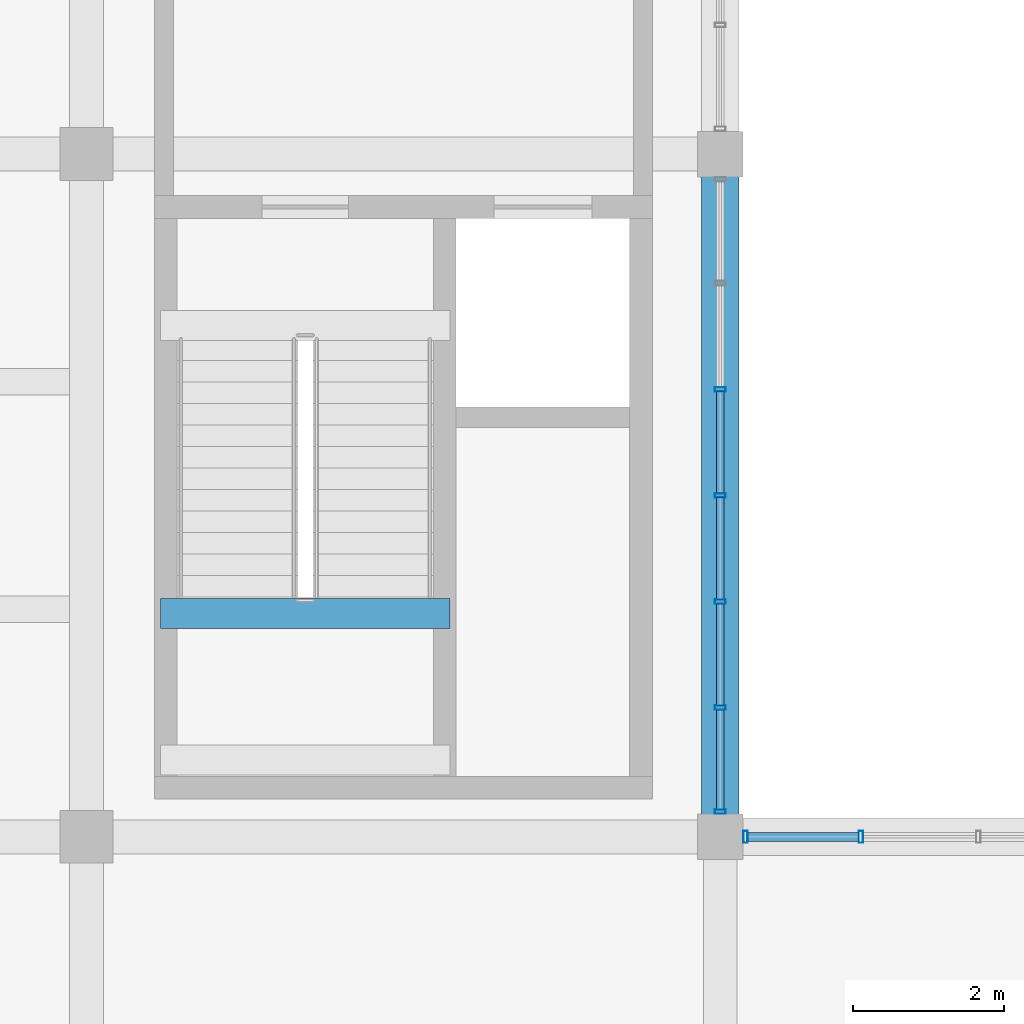
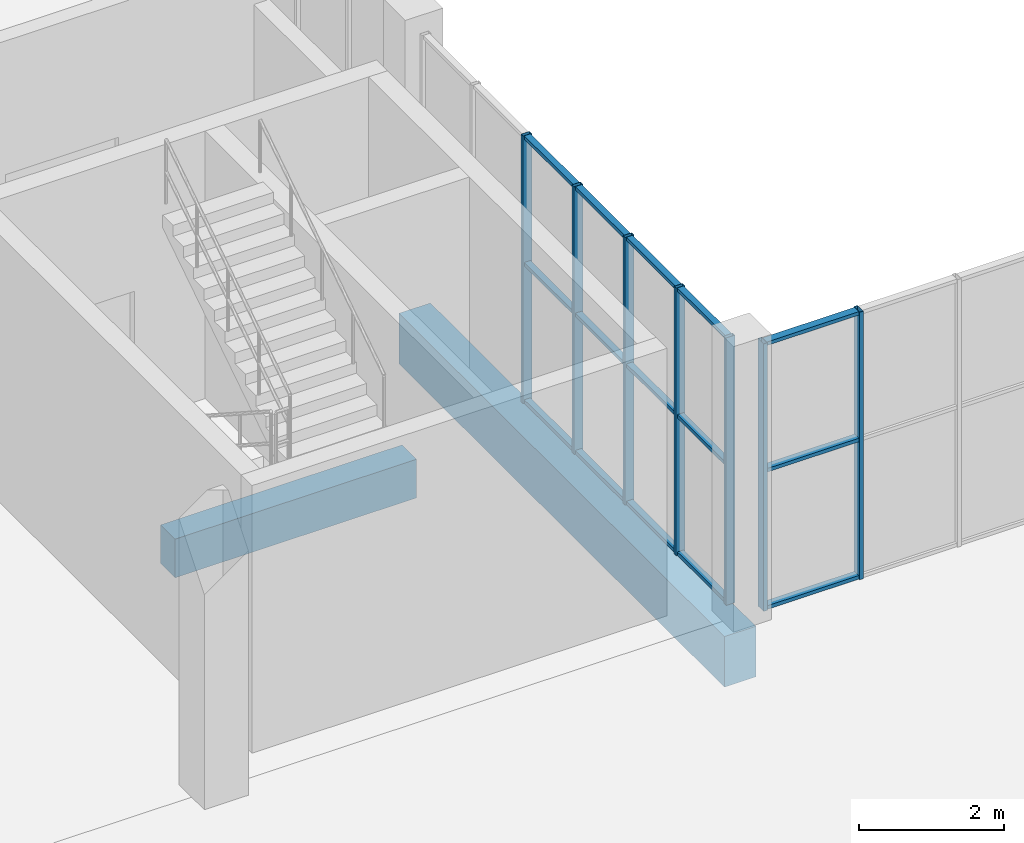
# One storey, part 32 of 80: 22 members, 2 beams, 2 elements without a shape of their own.
"""IFC4 building model written with IfcOpenShell, lengths in metres."""

from ifc_helpers import new_model, si_unit, direction, frame, origin, origin_2d, place, context, subcontext, project, spatial, rectangle, hollow_rectangle, extrude, material, material_profile, profile_set, type_object, element, aggregate, save


model = new_model("IFC4")

# Units and contexts
model_context = context("Model", 3, precision=1e-05, world=origin(), true_north=direction((0.0, 1.0)))
body_context = subcontext(model_context, "Body", "Model", "MODEL_VIEW")
ifc_project = project(units=[si_unit("LENGTHUNIT", "METRE"), si_unit("AREAUNIT", "SQUARE_METRE"), si_unit("VOLUMEUNIT", "CUBIC_METRE"), si_unit("PLANEANGLEUNIT", "RADIAN"), si_unit("MASSUNIT", "GRAM", prefix="KILO")], contexts=[model_context])

# Site, building, storey
site_placement = place(None, origin())
site = spatial("IfcSite", under=ifc_project, at=site_placement, CompositionType="ELEMENT")
building_placement = place(site_placement, origin())
building = spatial("IfcBuilding", under=site, at=building_placement, Name="Khurvash Pelagic Aquarium", CompositionType="ELEMENT")
storey_placement = place(building_placement, frame((0.0, 0.0, 10.800048828125)))
storey = spatial("IfcBuildingStorey", under=building, at=storey_placement, Name="L02", CompositionType="ELEMENT", Elevation=10.800048828125)

# Beam
ifc_material_1 = material(Name="Concrete C35/45", Category="concrete")
ifc_material_profile_1 = material_profile(ifc_material_1, rectangle(XDim=0.39990234375, YDim=0.64990234375, at=origin_2d()), Name="RC400X650")
ifc_profile_set_1 = profile_set([ifc_material_profile_1], Name="Concrete C35/45")
beam_type_1 = type_object("IfcBeamType", Name="BM-05", PredefinedType="BEAM", material=ifc_profile_set_1)
beam_1_placement = place(storey_placement, frame((110.179931640625, 87.010009765625, 1.875), z_axis=(1.0, 0.0, 0.0), x_axis=(0.0, 1.0, 0.0)))
element("IfcBeam", 1, at=beam_1_placement, inside=storey, type_object=beam_type_1, Name="L02 Stair ST-06 Mid-Landing Trimmer Beam BM-05", PredefinedType="BEAM", context=body_context, shape_type="SweptSolid", body=[
    extrude(rectangle(XDim=0.39990234375, YDim=0.64990234375, at=origin_2d()), origin(), (0.0, 0.0, 1.0), 3.840087890625),
])

# Curtain wall, members
ifc_material_2 = material(Name="Anodised aluminium and low-E laminated glass", Category="aluminium")
curtain_wall_type_1 = type_object("IfcCurtainWallType", Name="CW-06", PredefinedType="USERDEFINED", material=ifc_material_2)
curtain_wall_1_placement = place(storey_placement, origin())
curtain_wall_1 = element("IfcCurtainWall", 2, at=curtain_wall_1_placement, inside=storey, type_object=curtain_wall_type_1, Name="L02 Facade Unitised Curtain Wall CW-06 0161", ObjectType="UNITISED CURTAIN WALL", PredefinedType="USERDEFINED")
ifc_material_3 = material(Name="Extruded aluminium AW-6063-T6", Category="aluminium")
ifc_material_profile_2 = material_profile(ifc_material_3, hollow_rectangle(XDim=0.06005859375, YDim=0.159912109375, WallThickness=0.00390625, at=origin_2d()), Name="CWM60X160X4")
ifc_profile_set_2 = profile_set([ifc_material_profile_2], Name="Extruded aluminium AW-6063-T6")
member_type_1 = type_object("IfcMemberType", Name="CM-02", PredefinedType="MULLION", material=ifc_profile_set_2)
member_1_placement = place(storey_placement, frame((119.462890625, 84.050048828125, 0.0), z_axis=(0.0, 0.0, 1.0), x_axis=(-1.0, 0.0, 0.0)))
member_1 = element("IfcMember", 3, at=member_1_placement, type_object=member_type_1, Name="CW-06 mullion 5", PredefinedType="MULLION", context=body_context, shape_type="SweptSolid", body=[
    extrude(hollow_rectangle(XDim=0.06005859375, YDim=0.159912109375, WallThickness=0.00390625, at=origin_2d()), origin(), (0.0, 0.0, 1.0), 4.5),
])
member_2_placement = place(storey_placement, frame((117.93505859375, 84.050048828125, 0.0), z_axis=(0.0, 0.0, 1.0), x_axis=(-1.0, 0.0, 0.0)))
member_2 = element("IfcMember", 4, at=member_2_placement, type_object=member_type_1, Name="CW-06 mullion 6", PredefinedType="MULLION", context=body_context, shape_type="SweptSolid", body=[
    extrude(hollow_rectangle(XDim=0.06005859375, YDim=0.159912109375, WallThickness=0.00390625, at=origin_2d()), origin(), (0.0, 0.0, 1.0), 4.5),
])

curtain_wall_type_2 = type_object("IfcCurtainWallType", Name="CW-03", PredefinedType="USERDEFINED", material=ifc_material_2)
curtain_wall_2_placement = place(storey_placement, origin())
curtain_wall_2 = element("IfcCurtainWall", 5, at=curtain_wall_2_placement, inside=storey, type_object=curtain_wall_type_2, Name="L02 Facade Unitised Curtain Wall CW-03 0162", ObjectType="UNITISED CURTAIN WALL", PredefinedType="USERDEFINED")
ifc_material_profile_3 = material_profile(ifc_material_3, hollow_rectangle(XDim=0.06005859375, YDim=0.139892578125, WallThickness=0.00390625, at=origin_2d()), Name="CWM60X140X4")
ifc_profile_set_3 = profile_set([ifc_material_profile_3], Name="Extruded aluminium AW-6063-T6")
member_type_2 = type_object("IfcMemberType", Name="CM-03", PredefinedType="MULLION", material=ifc_profile_set_3)
member_3_placement = place(storey_placement, frame((117.60009765625, 84.385009765625, 0.0), z_axis=(0.0, 0.0, 1.0), x_axis=(0.0, 1.0, 0.0)))
member_3 = element("IfcMember", 6, at=member_3_placement, type_object=member_type_2, Name="CW-03 mullion 1", PredefinedType="MULLION", context=body_context, shape_type="SweptSolid", body=[
    extrude(hollow_rectangle(XDim=0.06005859375, YDim=0.139892578125, WallThickness=0.00390625, at=origin_2d()), origin(), (0.0, 0.0, 1.0), 4.5),
])
member_4_placement = place(storey_placement, frame((117.60009765625, 85.76171875, 0.0), z_axis=(0.0, 0.0, 1.0), x_axis=(0.0, 1.0, 0.0)))
member_4 = element("IfcMember", 7, at=member_4_placement, type_object=member_type_2, Name="CW-03 mullion 2", PredefinedType="MULLION", context=body_context, shape_type="SweptSolid", body=[
    extrude(hollow_rectangle(XDim=0.06005859375, YDim=0.139892578125, WallThickness=0.00390625, at=origin_2d()), origin(), (0.0, 0.0, 1.0), 4.5),
])
member_5_placement = place(storey_placement, frame((117.60009765625, 87.168212890625, 0.0), z_axis=(0.0, 0.0, 1.0), x_axis=(0.0, 1.0, 0.0)))
member_5 = element("IfcMember", 8, at=member_5_placement, type_object=member_type_2, Name="CW-03 mullion 3", PredefinedType="MULLION", context=body_context, shape_type="SweptSolid", body=[
    extrude(hollow_rectangle(XDim=0.06005859375, YDim=0.139892578125, WallThickness=0.00390625, at=origin_2d()), origin(), (0.0, 0.0, 1.0), 4.5),
])
member_6_placement = place(storey_placement, frame((117.60009765625, 88.574951171875, 0.0), z_axis=(0.0, 0.0, 1.0), x_axis=(0.0, 1.0, 0.0)))
member_6 = element("IfcMember", 9, at=member_6_placement, type_object=member_type_2, Name="CW-03 mullion 4", PredefinedType="MULLION", context=body_context, shape_type="SweptSolid", body=[
    extrude(hollow_rectangle(XDim=0.06005859375, YDim=0.139892578125, WallThickness=0.00390625, at=origin_2d()), origin(), (0.0, 0.0, 1.0), 4.5),
])
member_7_placement = place(storey_placement, frame((117.60009765625, 89.981689453125, 0.0), z_axis=(0.0, 0.0, 1.0), x_axis=(0.0, 1.0, 0.0)))
member_7 = element("IfcMember", 10, at=member_7_placement, type_object=member_type_2, Name="CW-03 mullion 5", PredefinedType="MULLION", context=body_context, shape_type="SweptSolid", body=[
    extrude(hollow_rectangle(XDim=0.06005859375, YDim=0.139892578125, WallThickness=0.00390625, at=origin_2d()), origin(), (0.0, 0.0, 1.0), 4.5),
])

# Member
ifc_material_profile_4 = material_profile(ifc_material_3, hollow_rectangle(XDim=0.1201171875, YDim=0.06005859375, WallThickness=0.00390625, at=origin_2d()), Name="CWT120X60X4")
ifc_profile_set_4 = profile_set([ifc_material_profile_4], Name="Extruded aluminium AW-6063-T6")
member_type_3 = type_object("IfcMemberType", Name="CT-02", PredefinedType="USERDEFINED", material=ifc_profile_set_4)
member_8_placement = place(storey_placement, frame((119.43310546875, 84.050048828125, 0.030029296875), z_axis=(-1.0, 0.0, 0.0), x_axis=(0.0, -1.0, 0.0)))
member_8 = element("IfcMember", 11, at=member_8_placement, type_object=member_type_3, Name="CW-06 transom 5.1", ObjectType="TRANSOM", PredefinedType="USERDEFINED", context=body_context, shape_type="SweptSolid", body=[
    extrude(hollow_rectangle(XDim=0.1201171875, YDim=0.06005859375, WallThickness=0.00390625, at=origin_2d()), origin(), (0.0, 0.0, 1.0), 1.468017578125),
])

member_9_placement = place(storey_placement, frame((119.43310546875, 84.050048828125, 2.33984375), z_axis=(-1.0, 0.0, 0.0), x_axis=(0.0, -1.0, 0.0)))
member_9 = element("IfcMember", 12, at=member_9_placement, type_object=member_type_3, Name="CW-06 transom 5.2", ObjectType="TRANSOM", PredefinedType="USERDEFINED", context=body_context, shape_type="SweptSolid", body=[
    extrude(hollow_rectangle(XDim=0.1201171875, YDim=0.06005859375, WallThickness=0.00390625, at=origin_2d()), origin(), (0.0, 0.0, 1.0), 1.468017578125),
])

member_10_placement = place(storey_placement, frame((119.43310546875, 84.050048828125, 4.469970703125), z_axis=(-1.0, 0.0, 0.0), x_axis=(0.0, -1.0, 0.0)))
member_10 = element("IfcMember", 13, at=member_10_placement, type_object=member_type_3, Name="CW-06 transom 5.3", ObjectType="TRANSOM", PredefinedType="USERDEFINED", context=body_context, shape_type="SweptSolid", body=[
    extrude(hollow_rectangle(XDim=0.1201171875, YDim=0.06005859375, WallThickness=0.00390625, at=origin_2d()), origin(), (0.0, 0.0, 1.0), 1.468017578125),
])

aggregate(curtain_wall_1, [member_1, member_2, member_8, member_9, member_10])

ifc_material_profile_5 = material_profile(ifc_material_3, hollow_rectangle(XDim=0.10009765625, YDim=0.06005859375, WallThickness=0.00390625, at=origin_2d()), Name="CWT100X60X4")
ifc_profile_set_5 = profile_set([ifc_material_profile_5], Name="Extruded aluminium AW-6063-T6")
member_type_4 = type_object("IfcMemberType", Name="CT-03", PredefinedType="USERDEFINED", material=ifc_profile_set_5)
member_11_placement = place(storey_placement, frame((117.60009765625, 84.4150390625, 0.030029296875), z_axis=(0.0, 1.0, 0.0), x_axis=(-1.0, 0.0, 0.0)))
member_11 = element("IfcMember", 14, at=member_11_placement, type_object=member_type_4, Name="CW-03 transom 1.1", ObjectType="TRANSOM", PredefinedType="USERDEFINED", context=body_context, shape_type="SweptSolid", body=[
    extrude(hollow_rectangle(XDim=0.10009765625, YDim=0.06005859375, WallThickness=0.00390625, at=origin_2d()), origin(), (0.0, 0.0, 1.0), 1.316650390625),
])

member_12_placement = place(storey_placement, frame((117.60009765625, 84.4150390625, 2.33984375), z_axis=(0.0, 1.0, 0.0), x_axis=(-1.0, 0.0, 0.0)))
member_12 = element("IfcMember", 15, at=member_12_placement, type_object=member_type_4, Name="CW-03 transom 1.2", ObjectType="TRANSOM", PredefinedType="USERDEFINED", context=body_context, shape_type="SweptSolid", body=[
    extrude(hollow_rectangle(XDim=0.10009765625, YDim=0.06005859375, WallThickness=0.00390625, at=origin_2d()), origin(), (0.0, 0.0, 1.0), 1.316650390625),
])

member_13_placement = place(storey_placement, frame((117.60009765625, 84.4150390625, 4.469970703125), z_axis=(0.0, 1.0, 0.0), x_axis=(-1.0, 0.0, 0.0)))
member_13 = element("IfcMember", 16, at=member_13_placement, type_object=member_type_4, Name="CW-03 transom 1.3", ObjectType="TRANSOM", PredefinedType="USERDEFINED", context=body_context, shape_type="SweptSolid", body=[
    extrude(hollow_rectangle(XDim=0.10009765625, YDim=0.06005859375, WallThickness=0.00390625, at=origin_2d()), origin(), (0.0, 0.0, 1.0), 1.316650390625),
])

member_14_placement = place(storey_placement, frame((117.60009765625, 85.791748046875, 0.030029296875), z_axis=(0.0, 1.0, 0.0), x_axis=(-1.0, 0.0, 0.0)))
member_14 = element("IfcMember", 17, at=member_14_placement, type_object=member_type_4, Name="CW-03 transom 2.1", ObjectType="TRANSOM", PredefinedType="USERDEFINED", context=body_context, shape_type="SweptSolid", body=[
    extrude(hollow_rectangle(XDim=0.10009765625, YDim=0.06005859375, WallThickness=0.00390625, at=origin_2d()), origin(), (0.0, 0.0, 1.0), 1.3466796875),
])

member_15_placement = place(storey_placement, frame((117.60009765625, 85.791748046875, 2.33984375), z_axis=(0.0, 1.0, 0.0), x_axis=(-1.0, 0.0, 0.0)))
member_15 = element("IfcMember", 18, at=member_15_placement, type_object=member_type_4, Name="CW-03 transom 2.2", ObjectType="TRANSOM", PredefinedType="USERDEFINED", context=body_context, shape_type="SweptSolid", body=[
    extrude(hollow_rectangle(XDim=0.10009765625, YDim=0.06005859375, WallThickness=0.00390625, at=origin_2d()), origin(), (0.0, 0.0, 1.0), 1.3466796875),
])

member_16_placement = place(storey_placement, frame((117.60009765625, 85.791748046875, 4.469970703125), z_axis=(0.0, 1.0, 0.0), x_axis=(-1.0, 0.0, 0.0)))
member_16 = element("IfcMember", 19, at=member_16_placement, type_object=member_type_4, Name="CW-03 transom 2.3", ObjectType="TRANSOM", PredefinedType="USERDEFINED", context=body_context, shape_type="SweptSolid", body=[
    extrude(hollow_rectangle(XDim=0.10009765625, YDim=0.06005859375, WallThickness=0.00390625, at=origin_2d()), origin(), (0.0, 0.0, 1.0), 1.3466796875),
])

member_17_placement = place(storey_placement, frame((117.60009765625, 87.1982421875, 0.030029296875), z_axis=(0.0, 1.0, 0.0), x_axis=(-1.0, 0.0, 0.0)))
member_17 = element("IfcMember", 20, at=member_17_placement, type_object=member_type_4, Name="CW-03 transom 3.1", ObjectType="TRANSOM", PredefinedType="USERDEFINED", context=body_context, shape_type="SweptSolid", body=[
    extrude(hollow_rectangle(XDim=0.10009765625, YDim=0.06005859375, WallThickness=0.00390625, at=origin_2d()), origin(), (0.0, 0.0, 1.0), 1.3466796875),
])

member_18_placement = place(storey_placement, frame((117.60009765625, 87.1982421875, 2.33984375), z_axis=(0.0, 1.0, 0.0), x_axis=(-1.0, 0.0, 0.0)))
member_18 = element("IfcMember", 21, at=member_18_placement, type_object=member_type_4, Name="CW-03 transom 3.2", ObjectType="TRANSOM", PredefinedType="USERDEFINED", context=body_context, shape_type="SweptSolid", body=[
    extrude(hollow_rectangle(XDim=0.10009765625, YDim=0.06005859375, WallThickness=0.00390625, at=origin_2d()), origin(), (0.0, 0.0, 1.0), 1.3466796875),
])

member_19_placement = place(storey_placement, frame((117.60009765625, 87.1982421875, 4.469970703125), z_axis=(0.0, 1.0, 0.0), x_axis=(-1.0, 0.0, 0.0)))
member_19 = element("IfcMember", 22, at=member_19_placement, type_object=member_type_4, Name="CW-03 transom 3.3", ObjectType="TRANSOM", PredefinedType="USERDEFINED", context=body_context, shape_type="SweptSolid", body=[
    extrude(hollow_rectangle(XDim=0.10009765625, YDim=0.06005859375, WallThickness=0.00390625, at=origin_2d()), origin(), (0.0, 0.0, 1.0), 1.3466796875),
])

member_20_placement = place(storey_placement, frame((117.60009765625, 88.60498046875, 0.030029296875), z_axis=(0.0, 1.0, 0.0), x_axis=(-1.0, 0.0, 0.0)))
member_20 = element("IfcMember", 23, at=member_20_placement, type_object=member_type_4, Name="CW-03 transom 4.1", ObjectType="TRANSOM", PredefinedType="USERDEFINED", context=body_context, shape_type="SweptSolid", body=[
    extrude(hollow_rectangle(XDim=0.10009765625, YDim=0.06005859375, WallThickness=0.00390625, at=origin_2d()), origin(), (0.0, 0.0, 1.0), 1.3466796875),
])

member_21_placement = place(storey_placement, frame((117.60009765625, 88.60498046875, 2.33984375), z_axis=(0.0, 1.0, 0.0), x_axis=(-1.0, 0.0, 0.0)))
member_21 = element("IfcMember", 24, at=member_21_placement, type_object=member_type_4, Name="CW-03 transom 4.2", ObjectType="TRANSOM", PredefinedType="USERDEFINED", context=body_context, shape_type="SweptSolid", body=[
    extrude(hollow_rectangle(XDim=0.10009765625, YDim=0.06005859375, WallThickness=0.00390625, at=origin_2d()), origin(), (0.0, 0.0, 1.0), 1.3466796875),
])

member_22_placement = place(storey_placement, frame((117.60009765625, 88.60498046875, 4.469970703125), z_axis=(0.0, 1.0, 0.0), x_axis=(-1.0, 0.0, 0.0)))
member_22 = element("IfcMember", 25, at=member_22_placement, type_object=member_type_4, Name="CW-03 transom 4.3", ObjectType="TRANSOM", PredefinedType="USERDEFINED", context=body_context, shape_type="SweptSolid", body=[
    extrude(hollow_rectangle(XDim=0.10009765625, YDim=0.06005859375, WallThickness=0.00390625, at=origin_2d()), origin(), (0.0, 0.0, 1.0), 1.3466796875),
])

aggregate(curtain_wall_2, [member_3, member_4, member_5, member_6, member_7, member_11, member_12, member_13, member_14, member_15, member_16, member_17, member_18, member_19, member_20, member_21, member_22])

# Beam
ifc_material_4 = material(Name="Concrete C40/50", Category="concrete")
ifc_material_profile_6 = material_profile(ifc_material_4, rectangle(XDim=0.5, YDim=0.85009765625, at=origin_2d()), Name="RC500X850")
ifc_profile_set_6 = profile_set([ifc_material_profile_6], Name="Concrete C40/50")
beam_type_2 = type_object("IfcBeamType", Name="SEB-03", PredefinedType="SPANDREL", material=ifc_profile_set_6)
beam_2_placement = place(storey_placement, frame((117.60009765625, 84.090087890625, -0.72509765625), z_axis=(0.0, 1.0, 0.0), x_axis=(-1.0, 0.0, 0.0)))
element("IfcBeam", 26, at=beam_2_placement, inside=storey, type_object=beam_type_2, Name="L02 Primary Girder SEB-03 00718", PredefinedType="SPANDREL", context=body_context, shape_type="SweptSolid", body=[
    extrude(rectangle(XDim=0.5, YDim=0.85009765625, at=origin_2d()), origin(), (0.0, 0.0, 1.0), 8.969970703125),
])

save(model, "model.ifc")
